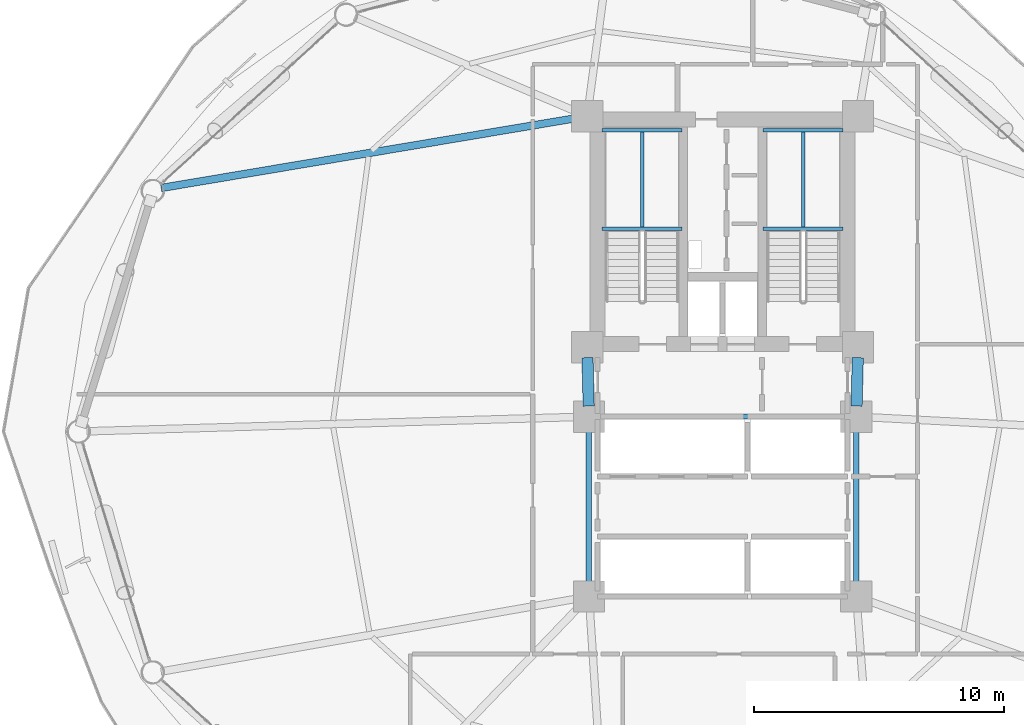
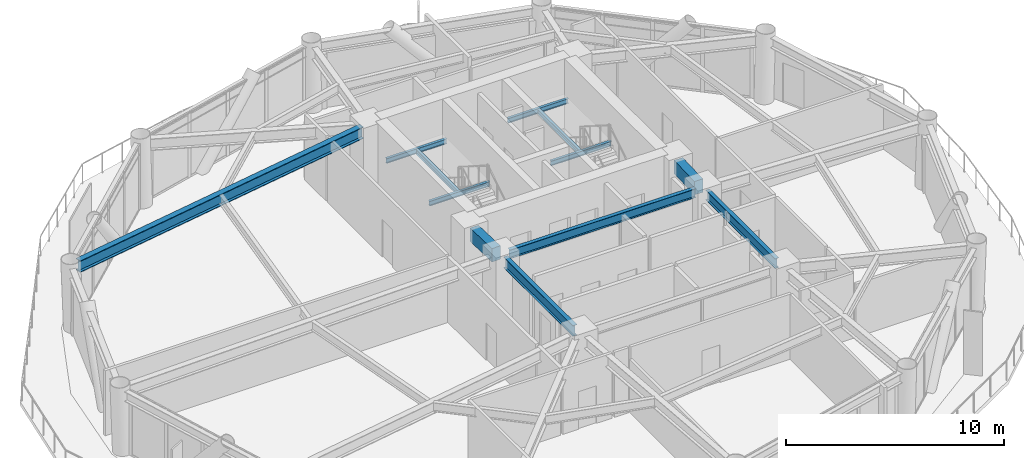
# One storey, part 11 of 25: 12 beams.
"""IFC4 building model written with IfcOpenShell, lengths in metres."""

from ifc_helpers import new_model, si_unit, direction, frame, origin, origin_2d, place, context, subcontext, project, spatial, rectangle, i_section, extrude, material, material_profile, profile_set, type_object, element, save


model = new_model("IFC4")

# Units and contexts
model_context = context("Model", 3, precision=1e-05, world=origin(), true_north=direction((0.0, 1.0)))
body_context = subcontext(model_context, "Body", "Model", "MODEL_VIEW")
ifc_project = project(units=[si_unit("LENGTHUNIT", "METRE"), si_unit("AREAUNIT", "SQUARE_METRE"), si_unit("VOLUMEUNIT", "CUBIC_METRE"), si_unit("PLANEANGLEUNIT", "RADIAN"), si_unit("MASSUNIT", "GRAM", prefix="KILO")], contexts=[model_context])

# Site, building, storey
site_placement = place(None, origin())
site = spatial("IfcSite", under=ifc_project, at=site_placement, CompositionType="ELEMENT")
building_placement = place(site_placement, origin())
building = spatial("IfcBuilding", under=site, at=building_placement, Name="Varnakorn Sky Granary", CompositionType="ELEMENT")
storey_placement = place(building_placement, frame((0.0, 0.0, 54.89990234375)))
storey = spatial("IfcBuildingStorey", under=building, at=storey_placement, Name="L13", CompositionType="ELEMENT", Elevation=54.89990234375)

# Beams
ifc_material_1 = material(Name="Steel S355JR", Category="steel")
ifc_material_profile_1 = material_profile(ifc_material_1, i_section(OverallWidth=0.2099609375, OverallDepth=0.550048828125, WebThickness=0.010986328125, FlangeThickness=0.01708984375, at=origin_2d()), Name="IPE 550")
ifc_profile_set_1 = profile_set([ifc_material_profile_1], Name="Steel S355JR")
beam_type_1 = type_object("IfcBeamType", Name="BM-JST-550", PredefinedType="JOIST", material=ifc_profile_set_1)
beam_1_placement = place(storey_placement, frame((8.35009765625, 0.179931640625, 3.364990234375), z_axis=(0.0, -1.0, 0.0), x_axis=(1.0, 0.0, 0.0)))
element("IfcBeam", 1, at=beam_1_placement, inside=storey, type_object=beam_type_1, Name="Core Spine Framing Beam 4 L13", PredefinedType="JOIST", context=body_context, shape_type="SweptSolid", body=[
    extrude(i_section(OverallWidth=0.2099609375, OverallDepth=0.550048828125, WebThickness=0.010986328125, FlangeThickness=0.01708984375, at=origin_2d()), origin(), (0.0, 0.0, 1.0), 6.35986328125),
])
ifc_material_profile_2 = material_profile(ifc_material_1, i_section(OverallWidth=0.219970703125, OverallDepth=0.60009765625, WebThickness=0.011962890625, FlangeThickness=0.01904296875, at=origin_2d()), Name="IPE 600")
ifc_profile_set_2 = profile_set([ifc_material_profile_2], Name="Steel S355JR")
beam_type_2 = type_object("IfcBeamType", Name="BM-JST-600", PredefinedType="JOIST", material=ifc_profile_set_2)
beam_2_placement = place(storey_placement, frame((-2.35009765625, 0.179931640625, 3.340087890625), z_axis=(0.0, -1.0, 0.0), x_axis=(1.0, 0.0, 0.0)))
element("IfcBeam", 2, at=beam_2_placement, inside=storey, type_object=beam_type_2, Name="Core Spine Framing Beam 3 L13", PredefinedType="JOIST", context=body_context, shape_type="SweptSolid", body=[
    extrude(i_section(OverallWidth=0.219970703125, OverallDepth=0.60009765625, WebThickness=0.011962890625, FlangeThickness=0.01904296875, at=origin_2d()), origin(), (0.0, 0.0, 1.0), 6.35986328125),
])
ifc_material_2 = material(Name="Concrete C60/75", Category="concrete")
ifc_material_profile_3 = material_profile(ifc_material_2, rectangle(XDim=0.449951171875, YDim=0.75, at=origin_2d()), Name="RC 450x750")
ifc_profile_set_3 = profile_set([ifc_material_profile_3], Name="Concrete C60/75")
beam_type_3 = type_object("IfcBeamType", Name="BM-LIN-750", PredefinedType="LINTEL", material=ifc_profile_set_3)
for number, where, z_axis, x_axis, name in (
    (3, (-2.409423828125, 2.960205078125, 3.26513671875), (0.025158763514, -0.999683468213, 0.0), (0.999683468213, 0.025158763514, 0.0), "Core Spine Framing Beam 1 L13"),
    (4, (8.409423828125, 2.960205078125, 3.26513671875), (-0.025158763514, -0.999683468213, 0.0), (0.999683468213, -0.025158763514, 0.0), "Core Spine Framing Beam 2 L13"),
):
    element("IfcBeam", number, at=place(storey_placement, frame(where, z_axis=z_axis, x_axis=x_axis)), inside=storey, type_object=beam_type_3, Name=name, PredefinedType="LINTEL", context=body_context, shape_type="SweptSolid", body=[
        extrude(rectangle(XDim=0.449951171875, YDim=0.75, at=origin_2d()), origin(), (0.0, 0.0, 1.0), 1.94091796875),
    ])
ifc_material_profile_4 = material_profile(ifc_material_1, i_section(OverallWidth=0.135009765625, OverallDepth=0.27001953125, WebThickness=0.006591796875, FlangeThickness=0.01025390625, at=origin_2d()), Name="IPE 270")
ifc_profile_set_4 = profile_set([ifc_material_profile_4], Name="Steel S355JR")
beam_type_4 = type_object("IfcBeamType", Name="BM-LND-270", PredefinedType="BEAM", material=ifc_profile_set_4)
for number, where, z_axis, x_axis, name in (
    (5, (-1.820068359375, 8.1201171875, 1.614990234375), (1.0, 0.0, 0.0), (0.0, 1.0, 0.0), "Stair ST-1 Landing Trimmer Beam A L13-1"),
    (6, (-1.820068359375, 12.06005859375, 1.614990234375), (1.0, 0.0, 0.0), (0.0, 1.0, 0.0), "Stair ST-1 Landing Trimmer Beam B L13-1"),
):
    element("IfcBeam", number, at=place(storey_placement, frame(where, z_axis=z_axis, x_axis=x_axis)), inside=storey, type_object=beam_type_4, Name=name, PredefinedType="BEAM", context=body_context, shape_type="SweptSolid", body=[
        extrude(i_section(OverallWidth=0.135009765625, OverallDepth=0.27001953125, WebThickness=0.006591796875, FlangeThickness=0.01025390625, at=origin_2d()), origin(), (0.0, 0.0, 1.0), 3.199951171875),
    ])
beam_3_placement = place(storey_placement, frame((-0.219970703125, 8.1201171875, 1.614990234375), z_axis=(0.0, 1.0, 0.0), x_axis=(-1.0, 0.0, 0.0)))
element("IfcBeam", 7, at=beam_3_placement, inside=storey, type_object=beam_type_4, Name="Stair ST-1 Landing Cross Beam C L13-1", PredefinedType="BEAM", context=body_context, shape_type="SweptSolid", body=[
    extrude(i_section(OverallWidth=0.135009765625, OverallDepth=0.27001953125, WebThickness=0.006591796875, FlangeThickness=0.01025390625, at=origin_2d()), origin(), (0.0, 0.0, 1.0), 3.93994140625),
])
for number, where, z_axis, x_axis, name in (
    (8, (4.6201171875, 8.1201171875, 1.614990234375), (1.0, 0.0, 0.0), (0.0, 1.0, 0.0), "Stair ST-2 Landing Trimmer Beam A L13-1"),
    (9, (4.6201171875, 12.06005859375, 1.614990234375), (1.0, 0.0, 0.0), (0.0, 1.0, 0.0), "Stair ST-2 Landing Trimmer Beam B L13-1"),
):
    element("IfcBeam", number, at=place(storey_placement, frame(where, z_axis=z_axis, x_axis=x_axis)), inside=storey, type_object=beam_type_4, Name=name, PredefinedType="BEAM", context=body_context, shape_type="SweptSolid", body=[
        extrude(i_section(OverallWidth=0.135009765625, OverallDepth=0.27001953125, WebThickness=0.006591796875, FlangeThickness=0.01025390625, at=origin_2d()), origin(), (0.0, 0.0, 1.0), 3.199951171875),
    ])
beam_4_placement = place(storey_placement, frame((6.219970703125, 8.1201171875, 1.614990234375), z_axis=(0.0, 1.0, 0.0), x_axis=(-1.0, 0.0, 0.0)))
element("IfcBeam", 10, at=beam_4_placement, inside=storey, type_object=beam_type_4, Name="Stair ST-2 Landing Cross Beam C L13-1", PredefinedType="BEAM", context=body_context, shape_type="SweptSolid", body=[
    extrude(i_section(OverallWidth=0.135009765625, OverallDepth=0.27001953125, WebThickness=0.006591796875, FlangeThickness=0.01025390625, at=origin_2d()), origin(), (0.0, 0.0, 1.0), 3.93994140625),
])
ifc_material_profile_5 = material_profile(ifc_material_1, i_section(OverallWidth=0.300048828125, OverallDepth=0.64990234375, WebThickness=0.01611328125, FlangeThickness=0.031005859375, at=origin_2d()), Name="HE 650 B")
ifc_profile_set_5 = profile_set([ifc_material_profile_5], Name="Steel S355JR")
beam_type_5 = type_object("IfcBeamType", Name="BM-RAD-Z1", PredefinedType="BEAM", material=ifc_profile_set_5)
beam_5_placement = place(storey_placement, frame((-2.834228515625, 12.55029296875, 3.315185546875), z_axis=(-0.986133367234, -0.165954758979, 0.0), x_axis=(0.165954758979, -0.986133367234, 0.0)))
element("IfcBeam", 11, at=beam_5_placement, inside=storey, type_object=beam_type_5, Name="Radial Floor Girder RG06 L13", PredefinedType="BEAM", context=body_context, shape_type="SweptSolid", body=[
    extrude(i_section(OverallWidth=0.300048828125, OverallDepth=0.64990234375, WebThickness=0.01611328125, FlangeThickness=0.031005859375, at=origin_2d()), origin(), (0.0, 0.0, 1.0), 16.869384765625),
])
ifc_material_profile_6 = material_profile(ifc_material_1, i_section(OverallWidth=0.199951171875, OverallDepth=0.5, WebThickness=0.01025390625, FlangeThickness=0.01611328125, at=origin_2d()), Name="IPE 500")
ifc_profile_set_6 = profile_set([ifc_material_profile_6], Name="Steel S355JR")
beam_type_6 = type_object("IfcBeamType", Name="BM-SEC-Z1", PredefinedType="BEAM", material=ifc_profile_set_6)
beam_6_placement = place(storey_placement, frame((-1.929931640625, 0.60009765625, 3.39013671875), z_axis=(1.0, 0.0, 0.0), x_axis=(0.0, 1.0, 0.0)))
element("IfcBeam", 12, at=beam_6_placement, inside=storey, type_object=beam_type_6, Name="Core Spine Framing Beam 5 L13", PredefinedType="BEAM", context=body_context, shape_type="SweptSolid", body=[
    extrude(i_section(OverallWidth=0.199951171875, OverallDepth=0.5, WebThickness=0.01025390625, FlangeThickness=0.01611328125, at=origin_2d()), origin(), (0.0, 0.0, 1.0), 9.85986328125),
])

save(model, "model.ifc")
